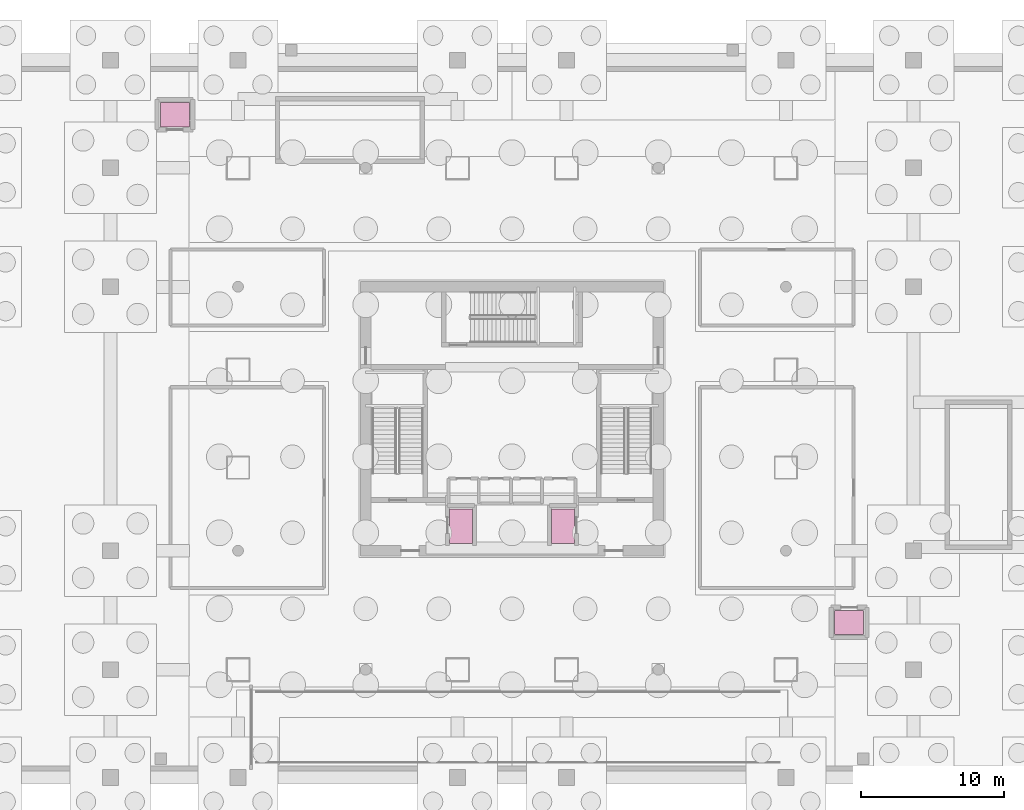
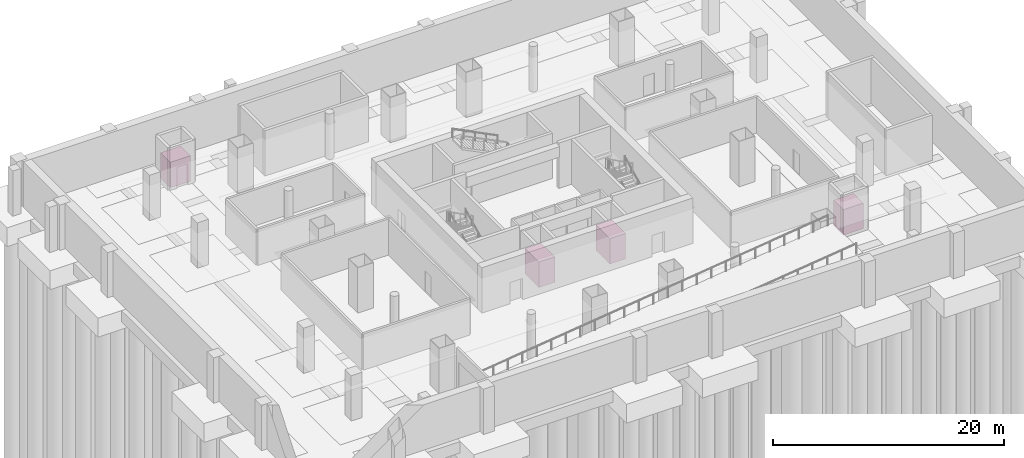
# One storey, part 11 of 11: 4 transport elements.
"""IFC4 building model written with IfcOpenShell, lengths in metres."""

import ifcopenshell
import ifcopenshell.guid

model = None  # the IFC model being written
_history = None  # IfcOwnerHistory: only IFC2X3 demands one
_inside = {}  # id of a spatial element -> (the spatial element, [elements in it])
_under = {}  # id of a project, library or spatial element -> (it, [spatial elements below it])
_declared = {}  # id of a project -> (the project, [libraries it declares])
_typed = {}  # id of a type object -> (the type object, [elements of that type])
_made_of = {}  # id of a material, layer set ... -> (it, [elements and type objects made of it])


def new_model(schema):
    """Start an empty IFC model of exactly this schema.

    Asked for "IFC4X3", IfcOpenShell would pick the latest addendum, in which some entities
    have other attributes; the version numbers below select the first issue.
    IFC2X3 requires an IfcOwnerHistory on every rooted entity: one is made here for all.
    """
    global model, _history
    if schema == "IFC4X3":
        model = ifcopenshell.file(schema_version=(4, 3, 0, 0))
    else:
        model = ifcopenshell.file(schema=schema)
    _inside.clear()
    _under.clear()
    _declared.clear()
    _typed.clear()
    _made_of.clear()
    _history = None
    if model.schema == "IFC2X3":
        org = make("IfcOrganization", Name="unknown")
        user = make(
            "IfcPersonAndOrganization",
            ThePerson=make("IfcPerson", FamilyName="unknown"),
            TheOrganization=org,
        )
        app = make(
            "IfcApplication",
            ApplicationDeveloper=org,
            Version="unknown",
            ApplicationFullName="unknown",
            ApplicationIdentifier="unknown",
        )
        _history = make(
            "IfcOwnerHistory",
            OwningUser=user,
            OwningApplication=app,
            ChangeAction="ADDED",
            CreationDate=0,
        )
    return model


def make(cls, **values):
    """One entity of the class cls with the attributes given. An attribute that is None is left unset."""
    return model.create_entity(
        cls, **{name: value for name, value in values.items() if value is not None}
    )


def rooted(cls, **values):
    """An entity with a GlobalId (a new one), such as an element, a storey or a relation."""
    return make(cls, GlobalId=ifcopenshell.guid.new(), OwnerHistory=_history, **values)


def si_unit(unit_type, name, prefix=None):
    """IfcSIUnit, for example si_unit("LENGTHUNIT", "METRE", prefix="MILLI")."""
    return make("IfcSIUnit", UnitType=unit_type, Prefix=prefix, Name=name)


def assignment(units):
    """IfcUnitAssignment: the units of a project."""
    return None if units is None else make("IfcUnitAssignment", Units=units)


def point(xyz):
    """IfcCartesianPoint."""
    return None if xyz is None else make("IfcCartesianPoint", Coordinates=xyz)


def direction(xyz):
    """IfcDirection."""
    return None if xyz is None else make("IfcDirection", DirectionRatios=xyz)


def frame(location, z_axis=None, x_axis=None):
    """IfcAxis2Placement3D, a coordinate frame: its origin and axes. An axis left out is left unset."""
    return make(
        "IfcAxis2Placement3D",
        Location=point(location),
        Axis=direction(z_axis),
        RefDirection=direction(x_axis),
    )


def frame_2d(location, x_axis=None):
    """IfcAxis2Placement2D, a coordinate frame in the plane: its origin and x axis."""
    return make(
        "IfcAxis2Placement2D", Location=point(location), RefDirection=direction(x_axis)
    )


def origin():
    """The frame at (0, 0, 0) with its axes left unset."""
    return frame((0.0, 0.0, 0.0))


def origin_2d():
    """The frame at (0, 0) in the plane with its x axis left unset."""
    return frame_2d((0.0, 0.0))


def place(relative_to, where):
    """IfcLocalPlacement: puts the frame where relative to a parent placement (None: the world)."""
    return make(
        "IfcLocalPlacement", PlacementRelTo=relative_to, RelativePlacement=where
    )


def context(
    kind, dimensions, precision=None, world=None, true_north=None, identifier=None
):
    """IfcGeometricRepresentationContext, for example the 3D "Model" context."""
    return make(
        "IfcGeometricRepresentationContext",
        ContextIdentifier=identifier,
        ContextType=kind,
        CoordinateSpaceDimension=dimensions,
        Precision=precision,
        WorldCoordinateSystem=world,
        TrueNorth=true_north,
    )


def subcontext(parent, identifier, kind, view, scale=None):
    """IfcGeometricRepresentationSubContext, for example "Body" below "Model"."""
    return make(
        "IfcGeometricRepresentationSubContext",
        ContextIdentifier=identifier,
        ContextType=kind,
        ParentContext=parent,
        TargetScale=scale,
        TargetView=view,
    )


def project(units=None, contexts=None):
    """IfcProject with its units and contexts."""
    return rooted(
        "IfcProject",
        Name="project",
        RepresentationContexts=contexts,
        UnitsInContext=assignment(units),
    )


def spatial(cls, under=None, at=None, **own):
    """A site, building, storey or space (cls), placed at a placement, below another one or the project."""
    s = rooted(cls, ObjectPlacement=at, **own)
    if under is not None:
        _under.setdefault(under.id(), (under, []))[1].append(s)
    return s


def profile(cls, at=None, kind="AREA", **sizes):
    """A parametric profile (cls). Its sizes go by their IFC names, for example OverallWidth=200.0."""
    return make(cls, ProfileType=kind, Position=at, **sizes)


def rectangle(**sizes):
    """IfcRectangleProfileDef."""
    return profile("IfcRectangleProfileDef", **sizes)


def extrude(swept, where, along, depth):
    """IfcExtrudedAreaSolid: the profile swept, set in the frame where, extruded along a direction by depth."""
    return make(
        "IfcExtrudedAreaSolid",
        SweptArea=swept,
        Position=where,
        ExtrudedDirection=direction(along),
        Depth=depth,
    )


def shape(context_of_items, identifier, shape_type, items):
    """IfcShapeRepresentation: the items that make up one representation, for example the "Body"."""
    return make(
        "IfcShapeRepresentation",
        ContextOfItems=context_of_items,
        RepresentationIdentifier=identifier,
        RepresentationType=shape_type,
        Items=items,
    )


def material(Name=None, Category=None):
    """IfcMaterial."""
    return make("IfcMaterial", Name=Name, Category=Category)


def made_of(thing, what):
    """Note that an element or type object is made of a material, layer set ...; save() writes the relation."""
    if what is not None:
        _made_of.setdefault(what.id(), (what, []))[1].append(thing)
    return thing


def type_object(cls, material=None, **own):
    """A type object (cls), such as IfcWallType, which elements share."""
    return made_of(rooted(cls, **own), material)


def element(
    cls,
    number,
    at=None,
    inside=None,
    cuts=None,
    type_object=None,
    material=None,
    context=None,
    identifier="Body",
    shape_type=None,
    held_by="IfcProductDefinitionShape",
    body=None,
    shapes=None,
    **own,
):
    """One element of the class cls, such as IfcWall. Its Tag is "e" and its number.

    at: its placement. inside: the storey or other place that contains it. cuts: it is an
    opening in that element (IfcRelVoidsElement). A single representation is given by context,
    identifier, shape_type and body (its items); several are given by shapes. held_by: the class
    of the entity that holds the representations. save() writes the other relations.
    """
    e = rooted(cls, Tag="e%d" % number, ObjectPlacement=at, **own)
    if body is not None:
        shapes = [shape(context, identifier, shape_type, body)]
    if shapes is not None:
        e.Representation = make(held_by, Representations=shapes)
    if inside is not None:
        _inside.setdefault(inside.id(), (inside, []))[1].append(e)
    if cuts is not None:
        rooted(
            "IfcRelVoidsElement", RelatingBuildingElement=cuts, RelatedOpeningElement=e
        )
    if type_object is not None:
        _typed.setdefault(type_object.id(), (type_object, []))[1].append(e)
    return made_of(e, material)


def aggregate(whole, parts):
    """IfcRelAggregates: a whole, such as a stair, and the parts it consists of."""
    return rooted("IfcRelAggregates", RelatingObject=whole, RelatedObjects=parts)


def save(model, path):
    """Write the relations noted so far, then the file.

    IfcRelAggregates (storeys below a building ...), IfcRelContainedInSpatialStructure (elements
    in a storey), IfcRelDefinesByType, IfcRelAssociatesMaterial and IfcRelDeclares: one each for
    every whole, place, type object, material and project.
    """
    for whole, parts in _under.values():
        aggregate(whole, parts)
    for where, things in _inside.values():
        rooted(
            "IfcRelContainedInSpatialStructure",
            RelatedElements=things,
            RelatingStructure=where,
        )
    for kind, things in _typed.values():
        rooted("IfcRelDefinesByType", RelatedObjects=things, RelatingType=kind)
    for what, things in _made_of.values():
        rooted("IfcRelAssociatesMaterial", RelatedObjects=things, RelatingMaterial=what)
    for by, libraries in _declared.values():
        rooted("IfcRelDeclares", RelatingContext=by, RelatedDefinitions=libraries)
    model.write(path)


model = new_model("IFC4")

# Units and contexts
model_context = context("Model", 3, precision=1e-05, world=origin(), true_north=direction((0.0, 1.0)))
body_context = subcontext(model_context, "Body", "Model", "MODEL_VIEW")
ifc_project = project(units=[si_unit("LENGTHUNIT", "METRE"), si_unit("AREAUNIT", "SQUARE_METRE"), si_unit("VOLUMEUNIT", "CUBIC_METRE"), si_unit("PLANEANGLEUNIT", "RADIAN"), si_unit("MASSUNIT", "GRAM", prefix="KILO")], contexts=[model_context])

# Site, building, storey
site_placement = place(None, origin())
site = spatial("IfcSite", under=ifc_project, at=site_placement, CompositionType="ELEMENT")
building_placement = place(site_placement, origin())
building = spatial("IfcBuilding", under=site, at=building_placement, Name="Punatoya Terracotta Tower", CompositionType="ELEMENT")
storey_placement = place(building_placement, frame((0.0, 0.0, -9.60009765625)))
storey = spatial("IfcBuildingStorey", under=building, at=storey_placement, Name="B2", CompositionType="ELEMENT", Elevation=-9.60009765625)

# Transport elements
ifc_material = material(Name="Brushed Stainless Steel Car Assembly", Category="steel")
transport_element_type_1 = type_object("IfcTransportElementType", Name="LFT-FFL", PredefinedType="ELEVATOR", material=ifc_material)
for number, where, z_axis, x_axis, name in (
    (1, (-3.550048828125, -7.5, 0.0), (0.0, 0.0, 1.0), (1.0, 0.0, 0.0), "Elevator FFL-1 Car (B2-RF)"),
    (2, (3.550048828125, -7.5, 0.0), (0.0, 0.0, 1.0), (1.0, 0.0, 0.0), "Elevator FFL-2 Car (B2-RF)"),
):
    element("IfcTransportElement", number, at=place(storey_placement, frame(where, z_axis=z_axis, x_axis=x_axis)), inside=storey, type_object=transport_element_type_1, Name=name, PredefinedType="ELEVATOR", context=body_context, shape_type="SweptSolid", body=[
        extrude(rectangle(XDim=1.60009765625, YDim=2.39990234375, at=origin_2d()), origin(), (0.0, 0.0, 1.0), 2.699951171875),
    ])
transport_element_type_2 = type_object("IfcTransportElementType", Name="LFT-PAS", PredefinedType="ELEVATOR", material=ifc_material)
for number, where, z_axis, x_axis, name in (
    (3, (-23.5, 21.199951171875, 0.0), (0.0, 0.0, 1.0), (1.0, 0.0, 0.0), "Elevator PL-P1 Car (B2-L04)"),
    (4, (23.5, -14.199951171875, 0.0), (0.0, 0.0, 1.0), (1.0, 0.0, 0.0), "Elevator PL-P2 Car (B2-L04)"),
):
    element("IfcTransportElement", number, at=place(storey_placement, frame(where, z_axis=z_axis, x_axis=x_axis)), inside=storey, type_object=transport_element_type_2, Name=name, PredefinedType="ELEVATOR", context=body_context, shape_type="SweptSolid", body=[
        extrude(rectangle(XDim=2.0, YDim=1.699951171875, at=origin_2d()), origin(), (0.0, 0.0, 1.0), 2.699951171875),
    ])

save(model, "model.ifc")
